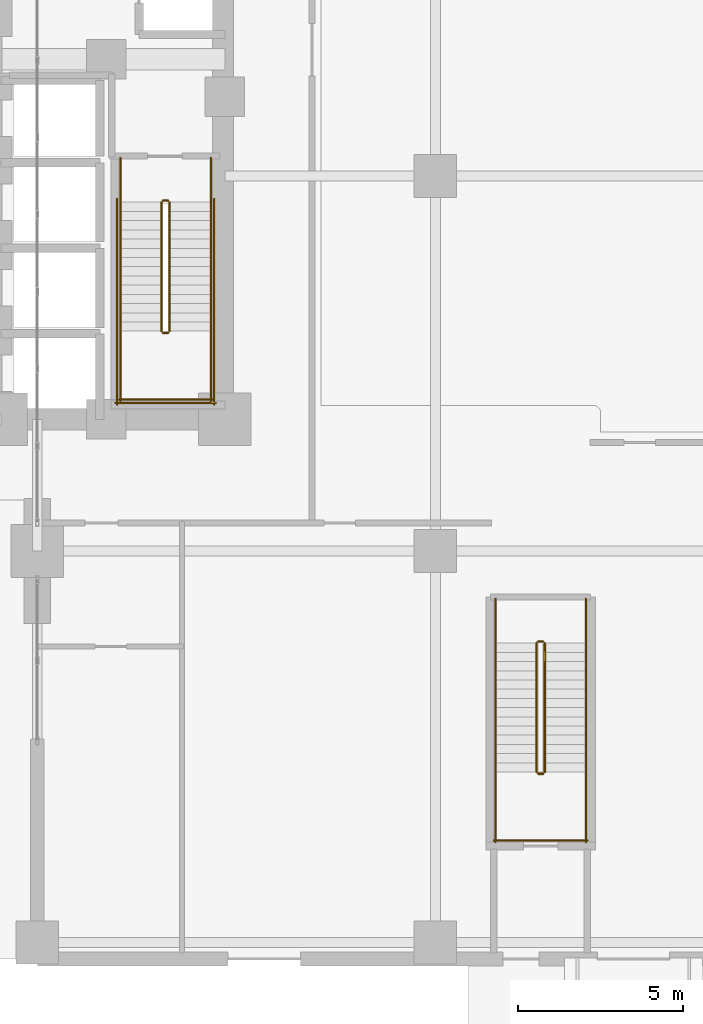
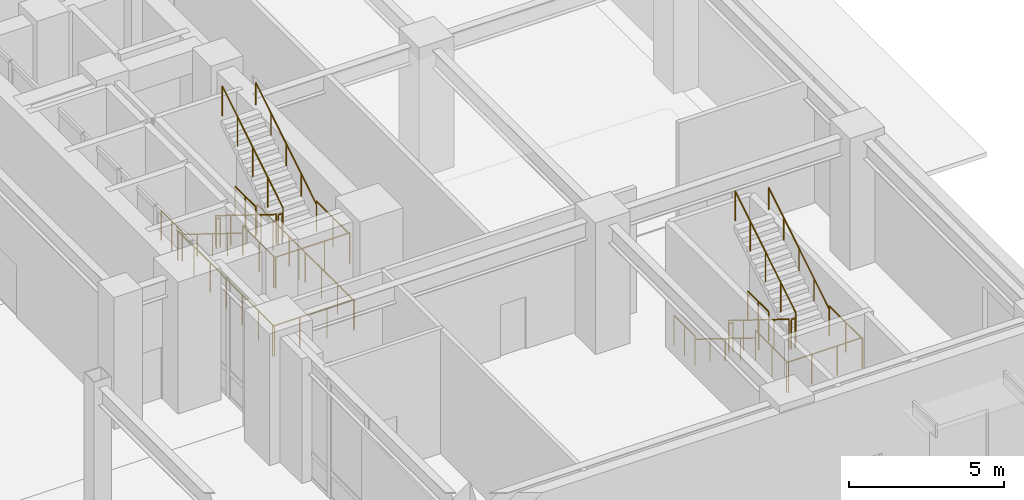
# One storey, part 22 of 23: 25 railings.
"""IFC4 building model written with IfcOpenShell, lengths in metres."""

from ifc_helpers import new_model, si_unit, direction, frame, origin, origin_2d, place, context, subcontext, project, spatial, circle, extrude, material, type_object, element, save


model = new_model("IFC4")

# Units and contexts
model_context = context("Model", 3, precision=1e-05, world=origin(), true_north=direction((0.0, 1.0)))
body_context = subcontext(model_context, "Body", "Model", "MODEL_VIEW")
ifc_project = project(units=[si_unit("LENGTHUNIT", "METRE"), si_unit("AREAUNIT", "SQUARE_METRE"), si_unit("VOLUMEUNIT", "CUBIC_METRE"), si_unit("PLANEANGLEUNIT", "RADIAN"), si_unit("MASSUNIT", "GRAM", prefix="KILO")], contexts=[model_context])

# Site, building, storey
site_placement = place(None, origin())
site = spatial("IfcSite", under=ifc_project, at=site_placement, CompositionType="ELEMENT")
building_placement = place(site_placement, origin())
building = spatial("IfcBuilding", under=site, at=building_placement, Name="Voryun Gate Residences", CompositionType="ELEMENT")
storey_placement = place(building_placement, origin())
storey = spatial("IfcBuildingStorey", under=building, at=storey_placement, Name="L00", CompositionType="ELEMENT", Elevation=0.0)

# Railings
ifc_material_1 = material(Name="Painted steel", Category="steel")
railing_type_1 = type_object("IfcRailingType", Name="RAIL_STAIR_GUARD_1200", PredefinedType="GUARDRAIL", material=ifc_material_1)
railing_1_placement = place(storey_placement, frame((17.27490234375, -0.800048828125, 0.17333984375)))
element("IfcRailing", 1, at=railing_1_placement, inside=storey, type_object=railing_type_1, Name="L00 ST-E1 stair guard 1", PredefinedType="GUARDRAIL", context=body_context, shape_type="SweptSolid", body=[
    extrude(circle(Radius=0.02392578125, at=origin_2d()), frame((0.0, 0.0, 1.17578125), z_axis=(0.0, -0.850251603719, 0.526376491091), x_axis=(1.0, 0.0, 0.0)), (0.0, 0.0, 1.0), 4.6103515625),
    extrude(circle(Radius=0.02099609375, at=origin_2d()), origin(), (0.0, 0.0, 1.0), 1.15185546875),
    extrude(circle(Radius=0.02099609375, at=origin_2d()), frame((0.0, -0.97998046875, 0.606689453125)), (0.0, 0.0, 1.0), 1.15185546875),
    extrude(circle(Radius=0.02099609375, at=origin_2d()), frame((0.0, -1.9599609375, 1.21337890625)), (0.0, 0.0, 1.0), 1.15185546875),
    extrude(circle(Radius=0.02099609375, at=origin_2d()), frame((0.0, -2.93994140625, 1.820068359375)), (0.0, 0.0, 1.0), 1.15185546875),
    extrude(circle(Radius=0.02099609375, at=origin_2d()), frame((0.0, -3.919921875, 2.4267578125)), (0.0, 0.0, 1.0), 1.15185546875),
])
railing_2_placement = place(storey_placement, frame((17.324951171875, -4.77001953125, 2.60009765625)))
element("IfcRailing", 2, at=railing_2_placement, inside=storey, type_object=railing_type_1, Name="L00 ST-E1 stair guard 2", PredefinedType="GUARDRAIL", context=body_context, shape_type="SweptSolid", body=[
    extrude(circle(Radius=0.02392578125, at=origin_2d()), frame((0.0, 0.0, 1.17578125), z_axis=(1.0, 0.0, 0.0), x_axis=(0.0, 1.0, 0.0)), (0.0, 0.0, 1.0), 0.150146484375),
    extrude(circle(Radius=0.02099609375, at=origin_2d()), origin(), (0.0, 0.0, 1.0), 1.15185546875),
    extrude(circle(Radius=0.02099609375, at=origin_2d()), frame((0.150146484375, 0.0, 0.0)), (0.0, 0.0, 1.0), 1.15185546875),
])
for number, where, name in (
    (3, (16.02490234375, -4.719970703125, 2.60009765625), "L00 ST-E1 stair guard 3"),
    (4, (18.77490234375, -4.719970703125, 2.60009765625), "L00 ST-E1 stair guard 4"),
):
    element("IfcRailing", number, at=place(storey_placement, frame(where)), inside=storey, type_object=railing_type_1, Name=name, PredefinedType="GUARDRAIL", context=body_context, shape_type="SweptSolid", body=[
        extrude(circle(Radius=0.02392578125, at=origin_2d()), frame((0.0, 0.0, 1.17578125), z_axis=(0.0, -1.0, 0.0), x_axis=(1.0, 0.0, 0.0)), (0.0, 0.0, 1.0), 2.130126953125),
        extrude(circle(Radius=0.02099609375, at=origin_2d()), origin(), (0.0, 0.0, 1.0), 1.15185546875),
        extrude(circle(Radius=0.02099609375, at=origin_2d()), frame((0.0, -1.06494140625, 0.0)), (0.0, 0.0, 1.0), 1.15185546875),
        extrude(circle(Radius=0.02099609375, at=origin_2d()), frame((0.0, -2.130126953125, 0.0)), (0.0, 0.0, 1.0), 1.15185546875),
    ])
railing_3_placement = place(storey_placement, frame((15.97509765625, -6.800048828125, 2.60009765625)))
element("IfcRailing", 5, at=railing_3_placement, inside=storey, type_object=railing_type_1, Name="L00 ST-E1 stair guard 5", PredefinedType="GUARDRAIL", context=body_context, shape_type="SweptSolid", body=[
    extrude(circle(Radius=0.02392578125, at=origin_2d()), frame((0.0, 0.0, 1.17578125), z_axis=(1.0, 0.0, 0.0), x_axis=(0.0, 1.0, 0.0)), (0.0, 0.0, 1.0), 2.849853515625),
    extrude(circle(Radius=0.02099609375, at=origin_2d()), origin(), (0.0, 0.0, 1.0), 1.15185546875),
    extrude(circle(Radius=0.02099609375, at=origin_2d()), frame((0.949951171875, 0.0, 0.0)), (0.0, 0.0, 1.0), 1.15185546875),
    extrude(circle(Radius=0.02099609375, at=origin_2d()), frame((1.89990234375, 0.0, 0.0)), (0.0, 0.0, 1.0), 1.15185546875),
    extrude(circle(Radius=0.02099609375, at=origin_2d()), frame((2.849853515625, 0.0, 0.0)), (0.0, 0.0, 1.0), 1.15185546875),
])
railing_4_placement = place(storey_placement, frame((17.52490234375, -4.719970703125, 2.7734375)))
element("IfcRailing", 6, at=railing_4_placement, inside=storey, type_object=railing_type_1, Name="L00 ST-E1 stair guard 6", PredefinedType="GUARDRAIL", context=body_context, shape_type="SweptSolid", body=[
    extrude(circle(Radius=0.02392578125, at=origin_2d()), frame((0.0, 0.0, 1.17578125), z_axis=(0.0, 0.850275303828, 0.526338206574), x_axis=(-1.0, 0.0, 0.0)), (0.0, 0.0, 1.0), 4.610107421875),
    extrude(circle(Radius=0.02099609375, at=origin_2d()), origin(), (0.0, 0.0, 1.0), 1.15185546875),
    extrude(circle(Radius=0.02099609375, at=origin_2d()), frame((0.0, 0.97998046875, 0.606689453125)), (0.0, 0.0, 1.0), 1.15185546875),
    extrude(circle(Radius=0.02099609375, at=origin_2d()), frame((0.0, 1.9599609375, 1.21337890625)), (0.0, 0.0, 1.0), 1.15185546875),
    extrude(circle(Radius=0.02099609375, at=origin_2d()), frame((0.0, 2.93994140625, 1.81982421875)), (0.0, 0.0, 1.0), 1.15185546875),
    extrude(circle(Radius=0.02099609375, at=origin_2d()), frame((0.0, 3.919921875, 2.426513671875)), (0.0, 0.0, 1.0), 1.15185546875),
])
railing_5_placement = place(storey_placement, frame((17.324951171875, -0.75, 0.0)))
element("IfcRailing", 7, at=railing_5_placement, inside=storey, type_object=railing_type_1, Name="L00 ST-E1 stair guard 7", PredefinedType="GUARDRAIL", context=body_context, shape_type="SweptSolid", body=[
    extrude(circle(Radius=0.02392578125, at=origin_2d()), frame((0.0, 0.0, 1.17578125), z_axis=(1.0, 0.0, 0.0), x_axis=(0.0, 1.0, 0.0)), (0.0, 0.0, 1.0), 0.150146484375),
    extrude(circle(Radius=0.02099609375, at=origin_2d()), origin(), (0.0, 0.0, 1.0), 1.15185546875),
    extrude(circle(Radius=0.02099609375, at=origin_2d()), frame((0.150146484375, 0.0, 0.0)), (0.0, 0.0, 1.0), 1.15185546875),
])
for number, where, name in (
    (8, (16.02490234375, 0.550048828125, 0.0), "L00 ST-E1 stair guard 8"),
    (9, (18.77490234375, 0.550048828125, 0.0), "L00 ST-E1 stair guard 9"),
):
    element("IfcRailing", number, at=place(storey_placement, frame(where)), inside=storey, type_object=railing_type_1, Name=name, PredefinedType="GUARDRAIL", context=body_context, shape_type="SweptSolid", body=[
        extrude(circle(Radius=0.02392578125, at=origin_2d()), frame((0.0, 0.0, 1.17578125), z_axis=(0.0, -1.0, 0.0), x_axis=(1.0, 0.0, 0.0)), (0.0, 0.0, 1.0), 1.35009765625),
        extrude(circle(Radius=0.02099609375, at=origin_2d()), origin(), (0.0, 0.0, 1.0), 1.15185546875),
        extrude(circle(Radius=0.02099609375, at=origin_2d()), frame((0.0, -0.675048828125, 0.0)), (0.0, 0.0, 1.0), 1.15185546875),
        extrude(circle(Radius=0.02099609375, at=origin_2d()), frame((0.0, -1.35009765625, 0.0)), (0.0, 0.0, 1.0), 1.15185546875),
    ])
for number, where, name in (
    (10, (15.925048828125, -0.699951171875, 0.0), "L00 ST-E1 stair guard 10"),
    (11, (18.875, -0.699951171875, 0.0), "L00 ST-E1 stair guard 11"),
):
    element("IfcRailing", number, at=place(storey_placement, frame(where)), inside=storey, type_object=railing_type_1, Name=name, PredefinedType="GUARDRAIL", context=body_context, shape_type="SweptSolid", body=[
        extrude(circle(Radius=0.02392578125, at=origin_2d()), frame((0.0, 0.0, 1.17578125), z_axis=(0.0, -1.0, 0.0), x_axis=(1.0, 0.0, 0.0)), (0.0, 0.0, 1.0), 6.25),
        extrude(circle(Radius=0.02099609375, at=origin_2d()), origin(), (0.0, 0.0, 1.0), 1.15185546875),
        extrude(circle(Radius=0.02099609375, at=origin_2d()), frame((0.0, -1.041748046875, 0.0)), (0.0, 0.0, 1.0), 1.15185546875),
        extrude(circle(Radius=0.02099609375, at=origin_2d()), frame((0.0, -2.083251953125, 0.0)), (0.0, 0.0, 1.0), 1.15185546875),
        extrude(circle(Radius=0.02099609375, at=origin_2d()), frame((0.0, -3.125, 0.0)), (0.0, 0.0, 1.0), 1.15185546875),
        extrude(circle(Radius=0.02099609375, at=origin_2d()), frame((0.0, -4.166748046875, 0.0)), (0.0, 0.0, 1.0), 1.15185546875),
        extrude(circle(Radius=0.02099609375, at=origin_2d()), frame((0.0, -5.208251953125, 0.0)), (0.0, 0.0, 1.0), 1.15185546875),
        extrude(circle(Radius=0.02099609375, at=origin_2d()), frame((0.0, -6.25, 0.0)), (0.0, 0.0, 1.0), 1.15185546875),
    ])
railing_6_placement = place(storey_placement, frame((15.875, -6.89990234375, 0.0)))
element("IfcRailing", 12, at=railing_6_placement, inside=storey, type_object=railing_type_1, Name="L00 ST-E1 stair guard 12", PredefinedType="GUARDRAIL", context=body_context, shape_type="SweptSolid", body=[
    extrude(circle(Radius=0.02392578125, at=origin_2d()), frame((0.0, 0.0, 1.17578125), z_axis=(1.0, 0.0, 0.0), x_axis=(0.0, 1.0, 0.0)), (0.0, 0.0, 1.0), 3.050048828125),
    extrude(circle(Radius=0.02099609375, at=origin_2d()), origin(), (0.0, 0.0, 1.0), 1.15185546875),
    extrude(circle(Radius=0.02099609375, at=origin_2d()), frame((1.0166015625, 0.0, 0.0)), (0.0, 0.0, 1.0), 1.15185546875),
    extrude(circle(Radius=0.02099609375, at=origin_2d()), frame((2.033447265625, 0.0, 0.0)), (0.0, 0.0, 1.0), 1.15185546875),
    extrude(circle(Radius=0.02099609375, at=origin_2d()), frame((3.050048828125, 0.0, 0.0)), (0.0, 0.0, 1.0), 1.15185546875),
])
railing_7_placement = place(storey_placement, frame((28.675048828125, -14.199951171875, 0.17333984375)))
element("IfcRailing", 13, at=railing_7_placement, inside=storey, type_object=railing_type_1, Name="L00 ST-P2 stair guard 1", PredefinedType="GUARDRAIL", context=body_context, shape_type="SweptSolid", body=[
    extrude(circle(Radius=0.02392578125, at=origin_2d()), frame((0.0, 0.0, 1.17578125), z_axis=(0.0, -0.850266275192, 0.526352791643), x_axis=(1.0, 0.0, 0.0)), (0.0, 0.0, 1.0), 4.610595703125),
    extrude(circle(Radius=0.02099609375, at=origin_2d()), origin(), (0.0, 0.0, 1.0), 1.15185546875),
    extrude(circle(Radius=0.02099609375, at=origin_2d()), frame((0.0, -0.97998046875, 0.606689453125)), (0.0, 0.0, 1.0), 1.15185546875),
    extrude(circle(Radius=0.02099609375, at=origin_2d()), frame((0.0, -1.9599609375, 1.21337890625)), (0.0, 0.0, 1.0), 1.15185546875),
    extrude(circle(Radius=0.02099609375, at=origin_2d()), frame((0.0, -2.940185546875, 1.820068359375)), (0.0, 0.0, 1.0), 1.15185546875),
    extrude(circle(Radius=0.02099609375, at=origin_2d()), frame((0.0, -3.920166015625, 2.4267578125)), (0.0, 0.0, 1.0), 1.15185546875),
])
railing_8_placement = place(storey_placement, frame((28.72509765625, -18.169921875, 2.60009765625)))
element("IfcRailing", 14, at=railing_8_placement, inside=storey, type_object=railing_type_1, Name="L00 ST-P2 stair guard 2", PredefinedType="GUARDRAIL", context=body_context, shape_type="SweptSolid", body=[
    extrude(circle(Radius=0.02392578125, at=origin_2d()), frame((0.0, 0.0, 1.17578125), z_axis=(1.0, 0.0, 0.0), x_axis=(0.0, 1.0, 0.0)), (0.0, 0.0, 1.0), 0.14990234375),
    extrude(circle(Radius=0.02099609375, at=origin_2d()), origin(), (0.0, 0.0, 1.0), 1.15185546875),
    extrude(circle(Radius=0.02099609375, at=origin_2d()), frame((0.14990234375, 0.0, 0.0)), (0.0, 0.0, 1.0), 1.15185546875),
])
for number, where, name in (
    (15, (27.425048828125, -18.1201171875, 2.60009765625), "L00 ST-P2 stair guard 3"),
    (16, (30.175048828125, -18.1201171875, 2.60009765625), "L00 ST-P2 stair guard 4"),
):
    element("IfcRailing", number, at=place(storey_placement, frame(where)), inside=storey, type_object=railing_type_1, Name=name, PredefinedType="GUARDRAIL", context=body_context, shape_type="SweptSolid", body=[
        extrude(circle(Radius=0.02392578125, at=origin_2d()), frame((0.0, 0.0, 1.17578125), z_axis=(0.0, -1.0, 0.0), x_axis=(1.0, 0.0, 0.0)), (0.0, 0.0, 1.0), 2.1298828125),
        extrude(circle(Radius=0.02099609375, at=origin_2d()), origin(), (0.0, 0.0, 1.0), 1.15185546875),
        extrude(circle(Radius=0.02099609375, at=origin_2d()), frame((0.0, -1.06494140625, 0.0)), (0.0, 0.0, 1.0), 1.15185546875),
        extrude(circle(Radius=0.02099609375, at=origin_2d()), frame((0.0, -2.1298828125, 0.0)), (0.0, 0.0, 1.0), 1.15185546875),
    ])
railing_9_placement = place(storey_placement, frame((27.375, -20.199951171875, 2.60009765625)))
element("IfcRailing", 17, at=railing_9_placement, inside=storey, type_object=railing_type_1, Name="L00 ST-P2 stair guard 5", PredefinedType="GUARDRAIL", context=body_context, shape_type="SweptSolid", body=[
    extrude(circle(Radius=0.02392578125, at=origin_2d()), frame((0.0, 0.0, 1.17578125), z_axis=(1.0, 0.0, 0.0), x_axis=(0.0, 1.0, 0.0)), (0.0, 0.0, 1.0), 2.85009765625),
    extrude(circle(Radius=0.02099609375, at=origin_2d()), origin(), (0.0, 0.0, 1.0), 1.15185546875),
    extrude(circle(Radius=0.02099609375, at=origin_2d()), frame((0.949951171875, 0.0, 0.0)), (0.0, 0.0, 1.0), 1.15185546875),
    extrude(circle(Radius=0.02099609375, at=origin_2d()), frame((1.900146484375, 0.0, 0.0)), (0.0, 0.0, 1.0), 1.15185546875),
    extrude(circle(Radius=0.02099609375, at=origin_2d()), frame((2.85009765625, 0.0, 0.0)), (0.0, 0.0, 1.0), 1.15185546875),
])
railing_10_placement = place(storey_placement, frame((28.925048828125, -18.1201171875, 2.7734375)))
element("IfcRailing", 18, at=railing_10_placement, inside=storey, type_object=railing_type_1, Name="L00 ST-P2 stair guard 6", PredefinedType="GUARDRAIL", context=body_context, shape_type="SweptSolid", body=[
    extrude(circle(Radius=0.02392578125, at=origin_2d()), frame((0.0, 0.0, 1.17578125), z_axis=(0.0, 0.850289973577, 0.526314507528), x_axis=(-1.0, 0.0, 0.0)), (0.0, 0.0, 1.0), 4.6103515625),
    extrude(circle(Radius=0.02099609375, at=origin_2d()), origin(), (0.0, 0.0, 1.0), 1.15185546875),
    extrude(circle(Radius=0.02099609375, at=origin_2d()), frame((0.0, 0.97998046875, 0.606689453125)), (0.0, 0.0, 1.0), 1.15185546875),
    extrude(circle(Radius=0.02099609375, at=origin_2d()), frame((0.0, 1.9599609375, 1.21337890625)), (0.0, 0.0, 1.0), 1.15185546875),
    extrude(circle(Radius=0.02099609375, at=origin_2d()), frame((0.0, 2.940185546875, 1.81982421875)), (0.0, 0.0, 1.0), 1.15185546875),
    extrude(circle(Radius=0.02099609375, at=origin_2d()), frame((0.0, 3.920166015625, 2.426513671875)), (0.0, 0.0, 1.0), 1.15185546875),
])
railing_11_placement = place(storey_placement, frame((28.72509765625, -14.14990234375, 0.0)))
element("IfcRailing", 19, at=railing_11_placement, inside=storey, type_object=railing_type_1, Name="L00 ST-P2 stair guard 7", PredefinedType="GUARDRAIL", context=body_context, shape_type="SweptSolid", body=[
    extrude(circle(Radius=0.02392578125, at=origin_2d()), frame((0.0, 0.0, 1.17578125), z_axis=(1.0, 0.0, 0.0), x_axis=(0.0, 1.0, 0.0)), (0.0, 0.0, 1.0), 0.14990234375),
    extrude(circle(Radius=0.02099609375, at=origin_2d()), origin(), (0.0, 0.0, 1.0), 1.15185546875),
    extrude(circle(Radius=0.02099609375, at=origin_2d()), frame((0.14990234375, 0.0, 0.0)), (0.0, 0.0, 1.0), 1.15185546875),
])
for number, where, name in (
    (20, (27.425048828125, -12.85009765625, 0.0), "L00 ST-P2 stair guard 8"),
    (21, (30.175048828125, -12.85009765625, 0.0), "L00 ST-P2 stair guard 9"),
):
    element("IfcRailing", number, at=place(storey_placement, frame(where)), inside=storey, type_object=railing_type_1, Name=name, PredefinedType="GUARDRAIL", context=body_context, shape_type="SweptSolid", body=[
        extrude(circle(Radius=0.02392578125, at=origin_2d()), frame((0.0, 0.0, 1.17578125), z_axis=(0.0, -1.0, 0.0), x_axis=(1.0, 0.0, 0.0)), (0.0, 0.0, 1.0), 1.349853515625),
        extrude(circle(Radius=0.02099609375, at=origin_2d()), origin(), (0.0, 0.0, 1.0), 1.15185546875),
        extrude(circle(Radius=0.02099609375, at=origin_2d()), frame((0.0, -0.6748046875, 0.0)), (0.0, 0.0, 1.0), 1.15185546875),
        extrude(circle(Radius=0.02099609375, at=origin_2d()), frame((0.0, -1.349853515625, 0.0)), (0.0, 0.0, 1.0), 1.15185546875),
    ])
ifc_material_2 = material(Name="Painted steel", Category="steel")
railing_type_2 = type_object("IfcRailingType", Name="RAIL_STAIR_HANDRAIL_900", PredefinedType="HANDRAIL", material=ifc_material_2)
railing_12_placement = place(storey_placement, frame((16.02490234375, -0.800048828125, 0.17333984375)))
element("IfcRailing", 22, at=railing_12_placement, inside=storey, type_object=railing_type_2, Name="L00 ST-E1 stair handrail 1", PredefinedType="HANDRAIL", context=body_context, shape_type="SweptSolid", body=[
    extrude(circle(Radius=0.02392578125, at=origin_2d()), frame((0.0, 0.0, 0.8759765625), z_axis=(0.0, -0.850251603719, 0.526376491091), x_axis=(1.0, 0.0, 0.0)), (0.0, 0.0, 1.0), 4.6103515625),
    extrude(circle(Radius=0.02099609375, at=origin_2d()), origin(), (0.0, 0.0, 1.0), 0.851806640625),
    extrude(circle(Radius=0.02099609375, at=origin_2d()), frame((0.0, -0.97998046875, 0.606689453125)), (0.0, 0.0, 1.0), 0.851806640625),
    extrude(circle(Radius=0.02099609375, at=origin_2d()), frame((0.0, -1.9599609375, 1.21337890625)), (0.0, 0.0, 1.0), 0.851806640625),
    extrude(circle(Radius=0.02099609375, at=origin_2d()), frame((0.0, -2.93994140625, 1.820068359375)), (0.0, 0.0, 1.0), 0.851806640625),
    extrude(circle(Radius=0.02099609375, at=origin_2d()), frame((0.0, -3.919921875, 2.4267578125)), (0.0, 0.0, 1.0), 0.851806640625),
])
railing_13_placement = place(storey_placement, frame((18.77490234375, -4.719970703125, 2.7734375)))
element("IfcRailing", 23, at=railing_13_placement, inside=storey, type_object=railing_type_2, Name="L00 ST-E1 stair handrail 2", PredefinedType="HANDRAIL", context=body_context, shape_type="SweptSolid", body=[
    extrude(circle(Radius=0.02392578125, at=origin_2d()), frame((0.0, 0.0, 0.8759765625), z_axis=(0.0, 0.850275303828, 0.526338206574), x_axis=(-1.0, 0.0, 0.0)), (0.0, 0.0, 1.0), 4.610107421875),
    extrude(circle(Radius=0.02099609375, at=origin_2d()), origin(), (0.0, 0.0, 1.0), 0.851806640625),
    extrude(circle(Radius=0.02099609375, at=origin_2d()), frame((0.0, 0.97998046875, 0.606689453125)), (0.0, 0.0, 1.0), 0.851806640625),
    extrude(circle(Radius=0.02099609375, at=origin_2d()), frame((0.0, 1.9599609375, 1.21337890625)), (0.0, 0.0, 1.0), 0.851806640625),
    extrude(circle(Radius=0.02099609375, at=origin_2d()), frame((0.0, 2.93994140625, 1.81982421875)), (0.0, 0.0, 1.0), 0.851806640625),
    extrude(circle(Radius=0.02099609375, at=origin_2d()), frame((0.0, 3.919921875, 2.426513671875)), (0.0, 0.0, 1.0), 0.851806640625),
])
railing_14_placement = place(storey_placement, frame((27.425048828125, -14.199951171875, 0.17333984375)))
element("IfcRailing", 24, at=railing_14_placement, inside=storey, type_object=railing_type_2, Name="L00 ST-P2 stair handrail 1", PredefinedType="HANDRAIL", context=body_context, shape_type="SweptSolid", body=[
    extrude(circle(Radius=0.02392578125, at=origin_2d()), frame((0.0, 0.0, 0.8759765625), z_axis=(0.0, -0.850266275192, 0.526352791643), x_axis=(1.0, 0.0, 0.0)), (0.0, 0.0, 1.0), 4.610595703125),
    extrude(circle(Radius=0.02099609375, at=origin_2d()), origin(), (0.0, 0.0, 1.0), 0.851806640625),
    extrude(circle(Radius=0.02099609375, at=origin_2d()), frame((0.0, -0.97998046875, 0.606689453125)), (0.0, 0.0, 1.0), 0.851806640625),
    extrude(circle(Radius=0.02099609375, at=origin_2d()), frame((0.0, -1.9599609375, 1.21337890625)), (0.0, 0.0, 1.0), 0.851806640625),
    extrude(circle(Radius=0.02099609375, at=origin_2d()), frame((0.0, -2.940185546875, 1.820068359375)), (0.0, 0.0, 1.0), 0.851806640625),
    extrude(circle(Radius=0.02099609375, at=origin_2d()), frame((0.0, -3.920166015625, 2.4267578125)), (0.0, 0.0, 1.0), 0.851806640625),
])
railing_15_placement = place(storey_placement, frame((30.175048828125, -18.1201171875, 2.7734375)))
element("IfcRailing", 25, at=railing_15_placement, inside=storey, type_object=railing_type_2, Name="L00 ST-P2 stair handrail 2", PredefinedType="HANDRAIL", context=body_context, shape_type="SweptSolid", body=[
    extrude(circle(Radius=0.02392578125, at=origin_2d()), frame((0.0, 0.0, 0.8759765625), z_axis=(0.0, 0.850289973577, 0.526314507528), x_axis=(-1.0, 0.0, 0.0)), (0.0, 0.0, 1.0), 4.6103515625),
    extrude(circle(Radius=0.02099609375, at=origin_2d()), origin(), (0.0, 0.0, 1.0), 0.851806640625),
    extrude(circle(Radius=0.02099609375, at=origin_2d()), frame((0.0, 0.97998046875, 0.606689453125)), (0.0, 0.0, 1.0), 0.851806640625),
    extrude(circle(Radius=0.02099609375, at=origin_2d()), frame((0.0, 1.9599609375, 1.21337890625)), (0.0, 0.0, 1.0), 0.851806640625),
    extrude(circle(Radius=0.02099609375, at=origin_2d()), frame((0.0, 2.940185546875, 1.81982421875)), (0.0, 0.0, 1.0), 0.851806640625),
    extrude(circle(Radius=0.02099609375, at=origin_2d()), frame((0.0, 3.920166015625, 2.426513671875)), (0.0, 0.0, 1.0), 0.851806640625),
])

save(model, "model.ifc")
